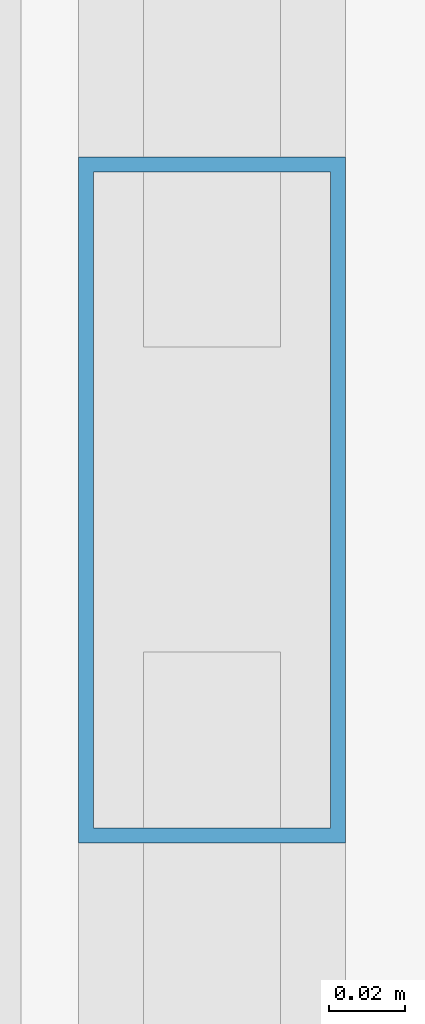
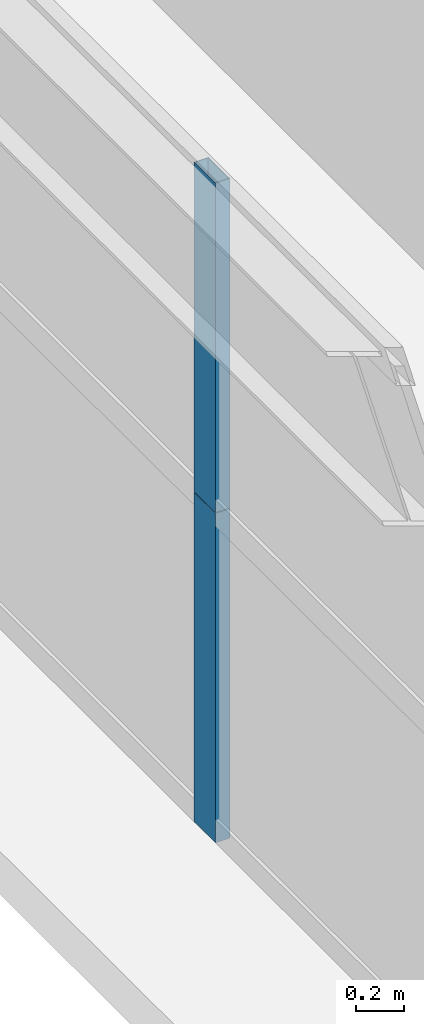
# One storey, part 22 of 43: 2 members, 1 element without a shape of its own.
"""IFC4 building model written with IfcOpenShell, lengths in metres."""

from ifc_helpers import new_model, si_unit, direction, frame, origin, origin_2d, place, context, subcontext, project, spatial, hollow_rectangle, extrude, source, transform, mapped, material, layer, layer_set, material_profile, profile_set, type_object, element, aggregate, save


model = new_model("IFC4")

# Units and contexts
model_context = context("Model", 3, precision=1e-05, world=origin(), true_north=direction((0.0, 1.0)))
body_context = subcontext(model_context, "Body", "Model", "MODEL_VIEW")
ifc_project = project(units=[si_unit("LENGTHUNIT", "METRE"), si_unit("AREAUNIT", "SQUARE_METRE"), si_unit("VOLUMEUNIT", "CUBIC_METRE"), si_unit("PLANEANGLEUNIT", "RADIAN"), si_unit("MASSUNIT", "GRAM", prefix="KILO"), si_unit("THERMODYNAMICTEMPERATUREUNIT", "KELVIN"), si_unit("POWERUNIT", "WATT")], contexts=[model_context])

# Site, building, storey
site_placement = place(None, origin())
site = spatial("IfcSite", under=ifc_project, at=site_placement, CompositionType="ELEMENT")
building_placement = place(site_placement, origin())
building = spatial("IfcBuilding", under=site, at=building_placement, Name="Yuzanri Waterfront Tower", CompositionType="ELEMENT")
storey_placement = place(building_placement, frame((0.0, 0.0, 64.0)))
storey = spatial("IfcBuildingStorey", under=building, at=storey_placement, Name="L16", CompositionType="ELEMENT", Elevation=64.0)

# Curtain wall, members
ifc_material_1 = material(Name="Anodized Architectural Bronze", Category="metal")
ifc_layer = layer(ifc_material_1, 0.159912109375)
ifc_layer_set = layer_set([ifc_layer], Name="Anodized Architectural Bronze")
curtain_wall_type = type_object("IfcCurtainWallType", Name="Anodized Bronze Hotel Lower-Tier Recessed Unitized Curtain Wall 8100", PredefinedType="NOTDEFINED", material=ifc_layer_set)
curtain_wall_placement = place(storey_placement, origin())
curtain_wall = element("IfcCurtainWall", 1, at=curtain_wall_placement, inside=storey, type_object=curtain_wall_type, Name="L16 Curtain Wall CW-L16-WR", PredefinedType="NOTDEFINED")
ifc_material_2 = material(Name="Anodized Architectural Bronze", Category="metal")
ifc_material_profile = material_profile(ifc_material_2, hollow_rectangle(XDim=0.070068359375, YDim=0.179931640625, WallThickness=0.00390625, at=origin_2d()), Name="CWM 70x180")
ifc_profile_set = profile_set([ifc_material_profile], Name="Anodized Architectural Bronze")
member_type = type_object("IfcMemberType", Name="Anodized Bronze Standard Curtain-Wall Mullion 70x180", PredefinedType="MULLION", material=ifc_profile_set)
shared_shape = source(origin(), body_context, "Body", "SweptSolid", [
    extrude(hollow_rectangle(XDim=0.070068359375, YDim=0.179931640625, WallThickness=0.00390625, at=origin_2d()), origin(), (0.0, 0.0, 1.0), 1.68798828125),
])
member_1_placement = place(storey_placement, frame((12.050048828125, 34.89990234375, 0.0), z_axis=(0.0, 0.0, 1.0), x_axis=(1.0, 0.0, 0.0)))
member_1 = element("IfcMember", 2, at=member_1_placement, type_object=member_type, Name="CW-L16-WR Lower Mullion 01", PredefinedType="MULLION", context=body_context, shape_type="MappedRepresentation", body=[
    mapped(shared_shape, transform((0.0, 0.0, 0.0), scale=1.0)),
])
member_2_placement = place(storey_placement, frame((12.050048828125, 34.89990234375, 1.69189453125), z_axis=(0.0, 0.0, 1.0), x_axis=(1.0, 0.0, 0.0)))
member_2 = element("IfcMember", 3, at=member_2_placement, type_object=member_type, Name="CW-L16-WR Upper Mullion 01", PredefinedType="MULLION", context=body_context, shape_type="MappedRepresentation", body=[
    mapped(shared_shape, transform((0.0, 0.0, 0.0), scale=1.0)),
])
aggregate(curtain_wall, [member_1, member_2])

save(model, "model.ifc")
